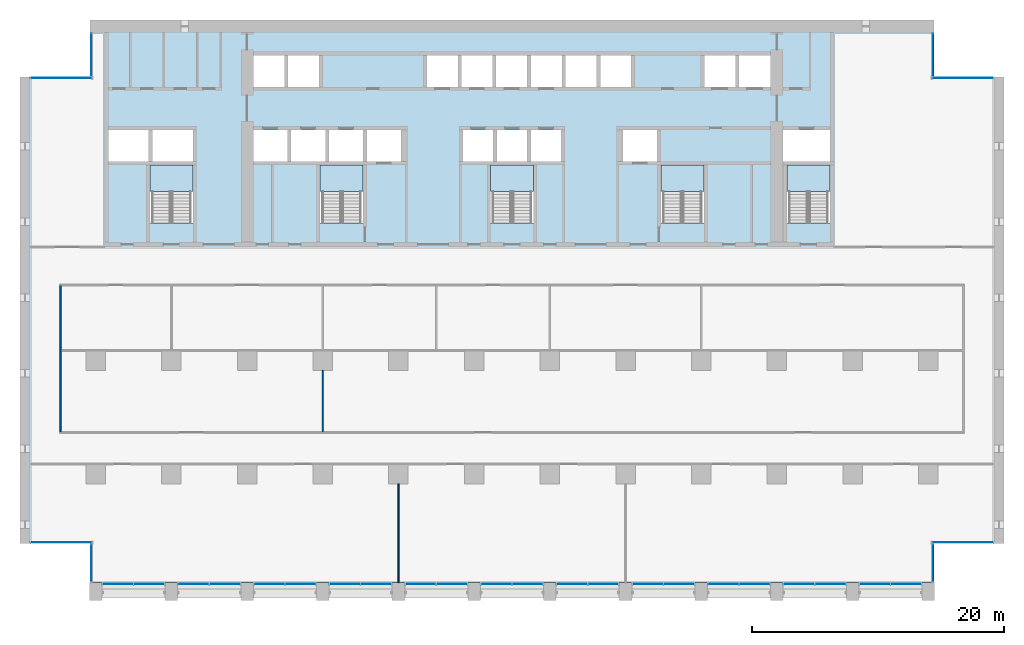
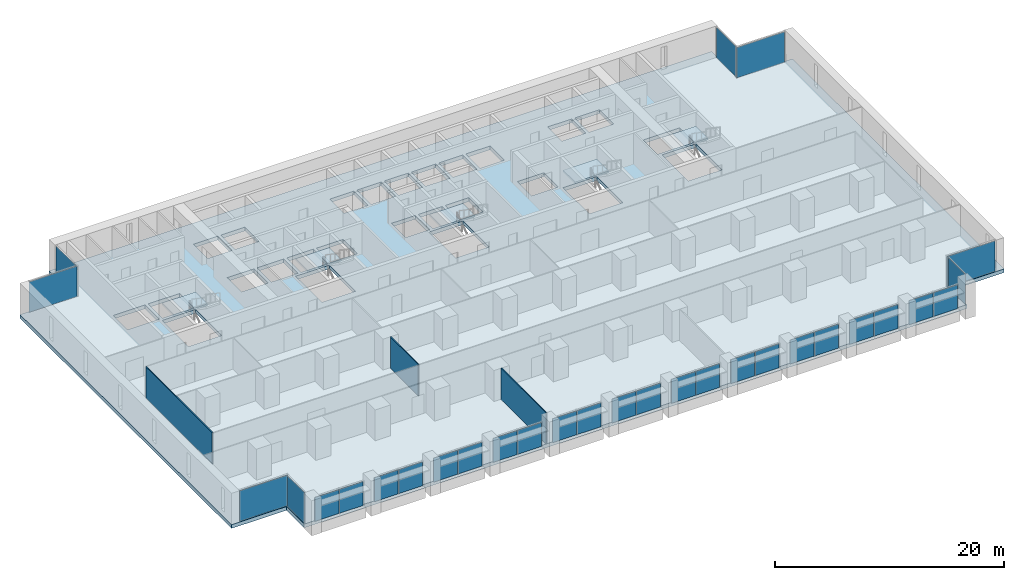
# One storey, part 7 of 17: 30 plates, 6 slabs, 3 walls, 24 elements without a shape of their own.
"""IFC4 building model written with IfcOpenShell, lengths in metres."""

from ifc_helpers import new_model, si_unit, direction, frame, frame_2d, origin, origin_2d, place, context, subcontext, project, spatial, polyline, rectangle, outline, extrude, material, layer, layer_set, type_object, element, aggregate, save


model = new_model("IFC4")

# Units and contexts
model_context = context("Model", 3, precision=1e-05, world=origin(), true_north=direction((0.0, 1.0)))
body_context = subcontext(model_context, "Body", "Model", "MODEL_VIEW")
ifc_project = project(units=[si_unit("LENGTHUNIT", "METRE"), si_unit("AREAUNIT", "SQUARE_METRE"), si_unit("VOLUMEUNIT", "CUBIC_METRE"), si_unit("PLANEANGLEUNIT", "RADIAN"), si_unit("MASSUNIT", "GRAM", prefix="KILO")], contexts=[model_context])

# Site, building, storey
site_placement = place(None, origin())
site = spatial("IfcSite", under=ifc_project, at=site_placement, CompositionType="ELEMENT")
building_placement = place(site_placement, origin())
building = spatial("IfcBuilding", under=site, at=building_placement, Name="Calvaro Tower", CompositionType="ELEMENT")
storey_placement = place(building_placement, frame((0.0, 0.0, 75.0)))
storey = spatial("IfcBuildingStorey", under=building, at=storey_placement, Name="L18", CompositionType="ELEMENT", Elevation=75.0)

# Slab
ifc_material_1 = material(Name="Concrete C40/50", Category="concrete")
ifc_layer_1 = layer(ifc_material_1, 0.39990234375)
ifc_layer_set_1 = layer_set([ifc_layer_1], Name="Concrete C40/50")
slab_type_1 = type_object("IfcSlabType", Name="Floor slab 400 C40/50", PredefinedType="FLOOR", material=ifc_layer_set_1)
slab_1_placement = place(storey_placement, frame((0.0, 0.0, -0.39990234375)))
element("IfcSlab", 1, at=slab_1_placement, inside=storey, type_object=slab_type_1, Name="Floor slab", PredefinedType="FLOOR", context=body_context, shape_type="SweptSolid", body=[
    extrude(outline(polyline([(72.449951171875, 4.5), (72.449951171875, 1.39990234375), (5.550048828125, 1.39990234375), (5.550048828125, 4.5), (0.0, 4.5), (0.0, 41.5), (5.550048828125, 41.5), (5.550048828125, 46.0), (72.449951171875, 46.0), (72.449951171875, 41.5), (78.0, 41.5), (78.0, 4.5), (72.449951171875, 4.5)]), holes=[polyline([(10.300048828125, 29.909912109375), (10.300048828125, 34.5), (12.0, 34.5), (13.699951171875, 34.5), (13.699951171875, 29.909912109375), (12.0, 29.909912109375), (10.300048828125, 29.909912109375)]), polyline([(23.800048828125, 29.909912109375), (23.800048828125, 34.5), (25.5, 34.5), (27.199951171875, 34.5), (27.199951171875, 29.909912109375), (25.5, 29.909912109375), (23.800048828125, 29.909912109375)]), polyline([(37.300048828125, 29.909912109375), (37.300048828125, 34.5), (39.0, 34.5), (40.699951171875, 34.5), (40.699951171875, 29.909912109375), (39.0, 29.909912109375), (37.300048828125, 29.909912109375)]), polyline([(50.800048828125, 29.909912109375), (50.800048828125, 34.5), (52.5, 34.5), (54.199951171875, 34.5), (54.199951171875, 29.909912109375), (52.5, 29.909912109375), (50.800048828125, 29.909912109375)]), polyline([(60.800048828125, 29.909912109375), (60.800048828125, 34.5), (62.5, 34.5), (64.199951171875, 34.5), (64.199951171875, 29.909912109375), (62.5, 29.909912109375), (60.800048828125, 29.909912109375)]), polyline([(18.5, 34.800048828125), (21.199951171875, 34.800048828125), (21.199951171875, 37.300048828125), (18.5, 37.300048828125), (18.5, 34.800048828125)]), polyline([(21.5, 34.800048828125), (24.199951171875, 34.800048828125), (24.199951171875, 37.300048828125), (21.5, 37.300048828125), (21.5, 34.800048828125)]), polyline([(24.5, 34.800048828125), (27.199951171875, 34.800048828125), (27.199951171875, 37.300048828125), (24.5, 37.300048828125), (24.5, 34.800048828125)]), polyline([(35.10009765625, 34.800048828125), (37.5, 34.800048828125), (37.5, 37.300048828125), (35.10009765625, 37.300048828125), (35.10009765625, 34.800048828125)]), polyline([(37.800048828125, 34.800048828125), (40.199951171875, 34.800048828125), (40.199951171875, 37.300048828125), (37.800048828125, 37.300048828125), (37.800048828125, 34.800048828125)]), polyline([(40.5, 34.800048828125), (42.89990234375, 34.800048828125), (42.89990234375, 37.300048828125), (40.5, 37.300048828125), (40.5, 34.800048828125)]), polyline([(18.5, 40.699951171875), (20.949951171875, 40.699951171875), (20.949951171875, 43.199951171875), (18.5, 43.199951171875), (18.5, 40.699951171875)]), polyline([(21.25, 40.699951171875), (23.699951171875, 40.699951171875), (23.699951171875, 43.199951171875), (21.25, 43.199951171875), (21.25, 40.699951171875)]), polyline([(32.25, 40.699951171875), (34.699951171875, 40.699951171875), (34.699951171875, 43.199951171875), (32.25, 43.199951171875), (32.25, 40.699951171875)]), polyline([(35.0, 40.699951171875), (37.449951171875, 40.699951171875), (37.449951171875, 43.199951171875), (35.0, 43.199951171875), (35.0, 40.699951171875)]), polyline([(37.75, 40.699951171875), (40.199951171875, 40.699951171875), (40.199951171875, 43.199951171875), (37.75, 43.199951171875), (37.75, 40.699951171875)]), polyline([(40.5, 40.699951171875), (42.949951171875, 40.699951171875), (42.949951171875, 43.199951171875), (40.5, 43.199951171875), (40.5, 40.699951171875)]), polyline([(43.25, 40.699951171875), (45.699951171875, 40.699951171875), (45.699951171875, 43.199951171875), (43.25, 43.199951171875), (43.25, 40.699951171875)]), polyline([(46.0, 40.699951171875), (48.449951171875, 40.699951171875), (48.449951171875, 43.199951171875), (46.0, 43.199951171875), (46.0, 40.699951171875)]), polyline([(54.25, 40.699951171875), (56.699951171875, 40.699951171875), (56.699951171875, 43.199951171875), (54.25, 43.199951171875), (54.25, 40.699951171875)]), polyline([(57.0, 40.699951171875), (59.5, 40.699951171875), (59.5, 43.199951171875), (57.0, 43.199951171875), (57.0, 40.699951171875)]), polyline([(7.0, 34.800048828125), (10.199951171875, 34.800048828125), (10.199951171875, 37.300048828125), (7.0, 37.300048828125), (7.0, 34.800048828125)]), polyline([(10.5, 34.800048828125), (13.699951171875, 34.800048828125), (13.699951171875, 37.300048828125), (10.5, 37.300048828125), (10.5, 34.800048828125)]), polyline([(60.5, 34.800048828125), (64.199951171875, 34.800048828125), (64.199951171875, 37.300048828125), (60.5, 37.300048828125), (60.5, 34.800048828125)]), polyline([(27.5, 34.800048828125), (30.199951171875, 34.800048828125), (30.199951171875, 37.300048828125), (27.5, 37.300048828125), (27.5, 34.800048828125)]), polyline([(47.800048828125, 34.800048828125), (50.5, 34.800048828125), (50.5, 37.300048828125), (47.800048828125, 37.300048828125), (47.800048828125, 34.800048828125)])]), origin(), (0.0, 0.0, 1.0), 0.39990234375),
])

# Curtain wall, plates
ifc_material_2 = material(Name="Anodised aluminium", Category="aluminium")
curtain_wall_type = type_object("IfcCurtainWallType", Name="Office curtain wall, lower zone", PredefinedType="NOTDEFINED", material=ifc_material_2)
curtain_wall_1_placement = place(storey_placement, origin())
curtain_wall_1 = element("IfcCurtainWall", 2, at=curtain_wall_1_placement, inside=storey, type_object=curtain_wall_type, Name="CW1 south curtain wall", PredefinedType="NOTDEFINED")
ifc_material_3 = material(Name="Glass", Category="glass")
ifc_layer_2 = layer(ifc_material_3, 0.028076171875)
ifc_layer_set_2 = layer_set([ifc_layer_2], Name="Glass")
plate_type = type_object("IfcPlateType", Name="Glass panel S1 28", PredefinedType="CURTAIN_PANEL", material=ifc_layer_set_2)
plate_1_placement = place(storey_placement, frame((7.764892578125, 1.300048828125, 0.0), z_axis=(0.0, 0.0, 1.0), x_axis=(1.0, 0.0, 0.0)))
plate_1 = element("IfcPlate", 3, at=plate_1_placement, type_object=plate_type, Name="CW1 glass panel 1.1", PredefinedType="CURTAIN_PANEL", context=body_context, shape_type="SweptSolid", body=[
    extrude(rectangle(XDim=2.409912109375, YDim=0.028076171875, at=origin_2d()), origin(), (0.0, 0.0, 1.0), 2.550048828125),
])
plate_2_placement = place(storey_placement, frame((10.235107421875, 1.300048828125, 0.0), z_axis=(0.0, 0.0, 1.0), x_axis=(1.0, 0.0, 0.0)))
plate_2 = element("IfcPlate", 4, at=plate_2_placement, type_object=plate_type, Name="CW1 glass panel 2.1", PredefinedType="CURTAIN_PANEL", context=body_context, shape_type="SweptSolid", body=[
    extrude(rectangle(XDim=2.409912109375, YDim=0.028076171875, at=origin_2d()), origin(), (0.0, 0.0, 1.0), 2.550048828125),
])
aggregate(curtain_wall_1, [plate_1, plate_2])

curtain_wall_2_placement = place(storey_placement, origin())
curtain_wall_2 = element("IfcCurtainWall", 5, at=curtain_wall_2_placement, inside=storey, type_object=curtain_wall_type, Name="CW1 south curtain wall", PredefinedType="NOTDEFINED")
plate_3_placement = place(storey_placement, frame((13.764892578125, 1.300048828125, 0.0), z_axis=(0.0, 0.0, 1.0), x_axis=(1.0, 0.0, 0.0)))
plate_3 = element("IfcPlate", 6, at=plate_3_placement, type_object=plate_type, Name="CW1 glass panel 1.1", PredefinedType="CURTAIN_PANEL", context=body_context, shape_type="SweptSolid", body=[
    extrude(rectangle(XDim=2.409912109375, YDim=0.028076171875, at=origin_2d()), origin(), (0.0, 0.0, 1.0), 2.550048828125),
])
plate_4_placement = place(storey_placement, frame((16.235107421875, 1.300048828125, 0.0), z_axis=(0.0, 0.0, 1.0), x_axis=(1.0, 0.0, 0.0)))
plate_4 = element("IfcPlate", 7, at=plate_4_placement, type_object=plate_type, Name="CW1 glass panel 2.1", PredefinedType="CURTAIN_PANEL", context=body_context, shape_type="SweptSolid", body=[
    extrude(rectangle(XDim=2.409912109375, YDim=0.028076171875, at=origin_2d()), origin(), (0.0, 0.0, 1.0), 2.550048828125),
])
aggregate(curtain_wall_2, [plate_3, plate_4])

curtain_wall_3_placement = place(storey_placement, origin())
curtain_wall_3 = element("IfcCurtainWall", 8, at=curtain_wall_3_placement, inside=storey, type_object=curtain_wall_type, Name="CW1 south curtain wall", PredefinedType="NOTDEFINED")
plate_5_placement = place(storey_placement, frame((19.764892578125, 1.300048828125, 0.0), z_axis=(0.0, 0.0, 1.0), x_axis=(1.0, 0.0, 0.0)))
plate_5 = element("IfcPlate", 9, at=plate_5_placement, type_object=plate_type, Name="CW1 glass panel 1.1", PredefinedType="CURTAIN_PANEL", context=body_context, shape_type="SweptSolid", body=[
    extrude(rectangle(XDim=2.409912109375, YDim=0.028076171875, at=origin_2d()), origin(), (0.0, 0.0, 1.0), 2.550048828125),
])
plate_6_placement = place(storey_placement, frame((22.235107421875, 1.300048828125, 0.0), z_axis=(0.0, 0.0, 1.0), x_axis=(1.0, 0.0, 0.0)))
plate_6 = element("IfcPlate", 10, at=plate_6_placement, type_object=plate_type, Name="CW1 glass panel 2.1", PredefinedType="CURTAIN_PANEL", context=body_context, shape_type="SweptSolid", body=[
    extrude(rectangle(XDim=2.409912109375, YDim=0.028076171875, at=origin_2d()), origin(), (0.0, 0.0, 1.0), 2.550048828125),
])
aggregate(curtain_wall_3, [plate_5, plate_6])

curtain_wall_4_placement = place(storey_placement, origin())
curtain_wall_4 = element("IfcCurtainWall", 11, at=curtain_wall_4_placement, inside=storey, type_object=curtain_wall_type, Name="CW1 south curtain wall", PredefinedType="NOTDEFINED")
plate_7_placement = place(storey_placement, frame((25.764892578125, 1.300048828125, 0.0), z_axis=(0.0, 0.0, 1.0), x_axis=(1.0, 0.0, 0.0)))
plate_7 = element("IfcPlate", 12, at=plate_7_placement, type_object=plate_type, Name="CW1 glass panel 1.1", PredefinedType="CURTAIN_PANEL", context=body_context, shape_type="SweptSolid", body=[
    extrude(rectangle(XDim=2.409912109375, YDim=0.028076171875, at=origin_2d()), origin(), (0.0, 0.0, 1.0), 2.550048828125),
])
plate_8_placement = place(storey_placement, frame((28.235107421875, 1.300048828125, 0.0), z_axis=(0.0, 0.0, 1.0), x_axis=(1.0, 0.0, 0.0)))
plate_8 = element("IfcPlate", 13, at=plate_8_placement, type_object=plate_type, Name="CW1 glass panel 2.1", PredefinedType="CURTAIN_PANEL", context=body_context, shape_type="SweptSolid", body=[
    extrude(rectangle(XDim=2.409912109375, YDim=0.028076171875, at=origin_2d()), origin(), (0.0, 0.0, 1.0), 2.550048828125),
])
aggregate(curtain_wall_4, [plate_7, plate_8])

curtain_wall_5_placement = place(storey_placement, origin())
curtain_wall_5 = element("IfcCurtainWall", 14, at=curtain_wall_5_placement, inside=storey, type_object=curtain_wall_type, Name="CW1 south curtain wall", PredefinedType="NOTDEFINED")
plate_9_placement = place(storey_placement, frame((31.764892578125, 1.300048828125, 0.0), z_axis=(0.0, 0.0, 1.0), x_axis=(1.0, 0.0, 0.0)))
plate_9 = element("IfcPlate", 15, at=plate_9_placement, type_object=plate_type, Name="CW1 glass panel 1.1", PredefinedType="CURTAIN_PANEL", context=body_context, shape_type="SweptSolid", body=[
    extrude(rectangle(XDim=2.409912109375, YDim=0.028076171875, at=origin_2d()), origin(), (0.0, 0.0, 1.0), 2.550048828125),
])
plate_10_placement = place(storey_placement, frame((34.235107421875, 1.300048828125, 0.0), z_axis=(0.0, 0.0, 1.0), x_axis=(1.0, 0.0, 0.0)))
plate_10 = element("IfcPlate", 16, at=plate_10_placement, type_object=plate_type, Name="CW1 glass panel 2.1", PredefinedType="CURTAIN_PANEL", context=body_context, shape_type="SweptSolid", body=[
    extrude(rectangle(XDim=2.409912109375, YDim=0.028076171875, at=origin_2d()), origin(), (0.0, 0.0, 1.0), 2.550048828125),
])
aggregate(curtain_wall_5, [plate_9, plate_10])

curtain_wall_6_placement = place(storey_placement, origin())
curtain_wall_6 = element("IfcCurtainWall", 17, at=curtain_wall_6_placement, inside=storey, type_object=curtain_wall_type, Name="CW1 south curtain wall", PredefinedType="NOTDEFINED")
plate_11_placement = place(storey_placement, frame((37.764892578125, 1.300048828125, 0.0), z_axis=(0.0, 0.0, 1.0), x_axis=(1.0, 0.0, 0.0)))
plate_11 = element("IfcPlate", 18, at=plate_11_placement, type_object=plate_type, Name="CW1 glass panel 1.1", PredefinedType="CURTAIN_PANEL", context=body_context, shape_type="SweptSolid", body=[
    extrude(rectangle(XDim=2.409912109375, YDim=0.028076171875, at=origin_2d()), origin(), (0.0, 0.0, 1.0), 2.550048828125),
])
plate_12_placement = place(storey_placement, frame((40.235107421875, 1.300048828125, 0.0), z_axis=(0.0, 0.0, 1.0), x_axis=(1.0, 0.0, 0.0)))
plate_12 = element("IfcPlate", 19, at=plate_12_placement, type_object=plate_type, Name="CW1 glass panel 2.1", PredefinedType="CURTAIN_PANEL", context=body_context, shape_type="SweptSolid", body=[
    extrude(rectangle(XDim=2.409912109375, YDim=0.028076171875, at=origin_2d()), origin(), (0.0, 0.0, 1.0), 2.550048828125),
])
aggregate(curtain_wall_6, [plate_11, plate_12])

curtain_wall_7_placement = place(storey_placement, origin())
curtain_wall_7 = element("IfcCurtainWall", 20, at=curtain_wall_7_placement, inside=storey, type_object=curtain_wall_type, Name="CW1 south curtain wall", PredefinedType="NOTDEFINED")
plate_13_placement = place(storey_placement, frame((43.764892578125, 1.300048828125, 0.0), z_axis=(0.0, 0.0, 1.0), x_axis=(1.0, 0.0, 0.0)))
plate_13 = element("IfcPlate", 21, at=plate_13_placement, type_object=plate_type, Name="CW1 glass panel 1.1", PredefinedType="CURTAIN_PANEL", context=body_context, shape_type="SweptSolid", body=[
    extrude(rectangle(XDim=2.409912109375, YDim=0.028076171875, at=origin_2d()), origin(), (0.0, 0.0, 1.0), 2.550048828125),
])
plate_14_placement = place(storey_placement, frame((46.235107421875, 1.300048828125, 0.0), z_axis=(0.0, 0.0, 1.0), x_axis=(1.0, 0.0, 0.0)))
plate_14 = element("IfcPlate", 22, at=plate_14_placement, type_object=plate_type, Name="CW1 glass panel 2.1", PredefinedType="CURTAIN_PANEL", context=body_context, shape_type="SweptSolid", body=[
    extrude(rectangle(XDim=2.409912109375, YDim=0.028076171875, at=origin_2d()), origin(), (0.0, 0.0, 1.0), 2.550048828125),
])
aggregate(curtain_wall_7, [plate_13, plate_14])

curtain_wall_8_placement = place(storey_placement, origin())
curtain_wall_8 = element("IfcCurtainWall", 23, at=curtain_wall_8_placement, inside=storey, type_object=curtain_wall_type, Name="CW1 south curtain wall", PredefinedType="NOTDEFINED")
plate_15_placement = place(storey_placement, frame((49.764892578125, 1.300048828125, 0.0), z_axis=(0.0, 0.0, 1.0), x_axis=(1.0, 0.0, 0.0)))
plate_15 = element("IfcPlate", 24, at=plate_15_placement, type_object=plate_type, Name="CW1 glass panel 1.1", PredefinedType="CURTAIN_PANEL", context=body_context, shape_type="SweptSolid", body=[
    extrude(rectangle(XDim=2.409912109375, YDim=0.028076171875, at=origin_2d()), origin(), (0.0, 0.0, 1.0), 2.550048828125),
])
plate_16_placement = place(storey_placement, frame((52.235107421875, 1.300048828125, 0.0), z_axis=(0.0, 0.0, 1.0), x_axis=(1.0, 0.0, 0.0)))
plate_16 = element("IfcPlate", 25, at=plate_16_placement, type_object=plate_type, Name="CW1 glass panel 2.1", PredefinedType="CURTAIN_PANEL", context=body_context, shape_type="SweptSolid", body=[
    extrude(rectangle(XDim=2.409912109375, YDim=0.028076171875, at=origin_2d()), origin(), (0.0, 0.0, 1.0), 2.550048828125),
])
aggregate(curtain_wall_8, [plate_15, plate_16])

curtain_wall_9_placement = place(storey_placement, origin())
curtain_wall_9 = element("IfcCurtainWall", 26, at=curtain_wall_9_placement, inside=storey, type_object=curtain_wall_type, Name="CW1 south curtain wall", PredefinedType="NOTDEFINED")
plate_17_placement = place(storey_placement, frame((55.764892578125, 1.300048828125, 0.0), z_axis=(0.0, 0.0, 1.0), x_axis=(1.0, 0.0, 0.0)))
plate_17 = element("IfcPlate", 27, at=plate_17_placement, type_object=plate_type, Name="CW1 glass panel 1.1", PredefinedType="CURTAIN_PANEL", context=body_context, shape_type="SweptSolid", body=[
    extrude(rectangle(XDim=2.409912109375, YDim=0.028076171875, at=origin_2d()), origin(), (0.0, 0.0, 1.0), 2.550048828125),
])
plate_18_placement = place(storey_placement, frame((58.235107421875, 1.300048828125, 0.0), z_axis=(0.0, 0.0, 1.0), x_axis=(1.0, 0.0, 0.0)))
plate_18 = element("IfcPlate", 28, at=plate_18_placement, type_object=plate_type, Name="CW1 glass panel 2.1", PredefinedType="CURTAIN_PANEL", context=body_context, shape_type="SweptSolid", body=[
    extrude(rectangle(XDim=2.409912109375, YDim=0.028076171875, at=origin_2d()), origin(), (0.0, 0.0, 1.0), 2.550048828125),
])
aggregate(curtain_wall_9, [plate_17, plate_18])

curtain_wall_10_placement = place(storey_placement, origin())
curtain_wall_10 = element("IfcCurtainWall", 29, at=curtain_wall_10_placement, inside=storey, type_object=curtain_wall_type, Name="CW1 south curtain wall", PredefinedType="NOTDEFINED")
plate_19_placement = place(storey_placement, frame((61.764892578125, 1.300048828125, 0.0), z_axis=(0.0, 0.0, 1.0), x_axis=(1.0, 0.0, 0.0)))
plate_19 = element("IfcPlate", 30, at=plate_19_placement, type_object=plate_type, Name="CW1 glass panel 1.1", PredefinedType="CURTAIN_PANEL", context=body_context, shape_type="SweptSolid", body=[
    extrude(rectangle(XDim=2.409912109375, YDim=0.028076171875, at=origin_2d()), origin(), (0.0, 0.0, 1.0), 2.550048828125),
])
plate_20_placement = place(storey_placement, frame((64.235107421875, 1.300048828125, 0.0), z_axis=(0.0, 0.0, 1.0), x_axis=(1.0, 0.0, 0.0)))
plate_20 = element("IfcPlate", 31, at=plate_20_placement, type_object=plate_type, Name="CW1 glass panel 2.1", PredefinedType="CURTAIN_PANEL", context=body_context, shape_type="SweptSolid", body=[
    extrude(rectangle(XDim=2.409912109375, YDim=0.028076171875, at=origin_2d()), origin(), (0.0, 0.0, 1.0), 2.550048828125),
])
aggregate(curtain_wall_10, [plate_19, plate_20])

curtain_wall_11_placement = place(storey_placement, origin())
curtain_wall_11 = element("IfcCurtainWall", 32, at=curtain_wall_11_placement, inside=storey, type_object=curtain_wall_type, Name="CW1 south curtain wall", PredefinedType="NOTDEFINED")
plate_21_placement = place(storey_placement, frame((67.764892578125, 1.300048828125, 0.0), z_axis=(0.0, 0.0, 1.0), x_axis=(1.0, 0.0, 0.0)))
plate_21 = element("IfcPlate", 33, at=plate_21_placement, type_object=plate_type, Name="CW1 glass panel 1.1", PredefinedType="CURTAIN_PANEL", context=body_context, shape_type="SweptSolid", body=[
    extrude(rectangle(XDim=2.409912109375, YDim=0.028076171875, at=origin_2d()), origin(), (0.0, 0.0, 1.0), 2.550048828125),
])
plate_22_placement = place(storey_placement, frame((70.235107421875, 1.300048828125, 0.0), z_axis=(0.0, 0.0, 1.0), x_axis=(1.0, 0.0, 0.0)))
plate_22 = element("IfcPlate", 34, at=plate_22_placement, type_object=plate_type, Name="CW1 glass panel 2.1", PredefinedType="CURTAIN_PANEL", context=body_context, shape_type="SweptSolid", body=[
    extrude(rectangle(XDim=2.409912109375, YDim=0.028076171875, at=origin_2d()), origin(), (0.0, 0.0, 1.0), 2.550048828125),
])
aggregate(curtain_wall_11, [plate_21, plate_22])

# Curtain wall, plate
curtain_wall_12_placement = place(storey_placement, origin())
curtain_wall_12 = element("IfcCurtainWall", 35, at=curtain_wall_12_placement, inside=storey, type_object=curtain_wall_type, Name="CW1 corner curtain wall", PredefinedType="NOTDEFINED")
plate_23_placement = place(storey_placement, frame((5.64990234375, 2.949951171875, 0.0), z_axis=(0.0, 0.0, 1.0), x_axis=(0.0, 1.0, 0.0)))
plate_23 = element("IfcPlate", 36, at=plate_23_placement, type_object=plate_type, Name="CW1 glass panel 1.1", PredefinedType="CURTAIN_PANEL", context=body_context, shape_type="SweptSolid", body=[
    extrude(rectangle(XDim=2.97998046875, YDim=0.028076171875, at=origin_2d()), origin(), (0.0, 0.0, 1.0), 3.25),
])
aggregate(curtain_wall_12, [plate_23])

curtain_wall_13_placement = place(storey_placement, origin())
curtain_wall_13 = element("IfcCurtainWall", 37, at=curtain_wall_13_placement, inside=storey, type_object=curtain_wall_type, Name="CW1 corner curtain wall", PredefinedType="NOTDEFINED")
plate_24_placement = place(storey_placement, frame((3.27490234375, 4.60009765625, 0.0), z_axis=(0.0, 0.0, 1.0), x_axis=(1.0, 0.0, 0.0)))
plate_24 = element("IfcPlate", 38, at=plate_24_placement, type_object=plate_type, Name="CW1 glass panel 1.1", PredefinedType="CURTAIN_PANEL", context=body_context, shape_type="SweptSolid", body=[
    extrude(rectangle(XDim=4.830078125, YDim=0.028076171875, at=origin_2d()), origin(), (0.0, 0.0, 1.0), 3.25),
])
aggregate(curtain_wall_13, [plate_24])

curtain_wall_14_placement = place(storey_placement, origin())
curtain_wall_14 = element("IfcCurtainWall", 39, at=curtain_wall_14_placement, inside=storey, type_object=curtain_wall_type, Name="CW1 corner curtain wall", PredefinedType="NOTDEFINED")
plate_25_placement = place(storey_placement, frame((5.64990234375, 43.25, 0.0), z_axis=(0.0, 0.0, 1.0), x_axis=(0.0, 1.0, 0.0)))
plate_25 = element("IfcPlate", 40, at=plate_25_placement, type_object=plate_type, Name="CW1 glass panel 1.1", PredefinedType="CURTAIN_PANEL", context=body_context, shape_type="SweptSolid", body=[
    extrude(rectangle(XDim=3.3798828125, YDim=0.028076171875, at=origin_2d()), origin(), (0.0, 0.0, 1.0), 3.25),
])
aggregate(curtain_wall_14, [plate_25])

curtain_wall_15_placement = place(storey_placement, origin())
curtain_wall_15 = element("IfcCurtainWall", 41, at=curtain_wall_15_placement, inside=storey, type_object=curtain_wall_type, Name="CW1 corner curtain wall", PredefinedType="NOTDEFINED")
plate_26_placement = place(storey_placement, frame((3.27490234375, 41.39990234375, 0.0), z_axis=(0.0, 0.0, 1.0), x_axis=(1.0, 0.0, 0.0)))
plate_26 = element("IfcPlate", 42, at=plate_26_placement, type_object=plate_type, Name="CW1 glass panel 1.1", PredefinedType="CURTAIN_PANEL", context=body_context, shape_type="SweptSolid", body=[
    extrude(rectangle(XDim=4.830078125, YDim=0.028076171875, at=origin_2d()), origin(), (0.0, 0.0, 1.0), 3.25),
])
aggregate(curtain_wall_15, [plate_26])

curtain_wall_16_placement = place(storey_placement, origin())
curtain_wall_16 = element("IfcCurtainWall", 43, at=curtain_wall_16_placement, inside=storey, type_object=curtain_wall_type, Name="CW1 corner curtain wall", PredefinedType="NOTDEFINED")
plate_27_placement = place(storey_placement, frame((72.35009765625, 2.949951171875, 0.0), z_axis=(0.0, 0.0, 1.0), x_axis=(0.0, 1.0, 0.0)))
plate_27 = element("IfcPlate", 44, at=plate_27_placement, type_object=plate_type, Name="CW1 glass panel 1.1", PredefinedType="CURTAIN_PANEL", context=body_context, shape_type="SweptSolid", body=[
    extrude(rectangle(XDim=2.97998046875, YDim=0.028076171875, at=origin_2d()), origin(), (0.0, 0.0, 1.0), 3.25),
])
aggregate(curtain_wall_16, [plate_27])

curtain_wall_17_placement = place(storey_placement, origin())
curtain_wall_17 = element("IfcCurtainWall", 45, at=curtain_wall_17_placement, inside=storey, type_object=curtain_wall_type, Name="CW1 corner curtain wall", PredefinedType="NOTDEFINED")
plate_28_placement = place(storey_placement, frame((74.72509765625, 4.60009765625, 0.0), z_axis=(0.0, 0.0, 1.0), x_axis=(1.0, 0.0, 0.0)))
plate_28 = element("IfcPlate", 46, at=plate_28_placement, type_object=plate_type, Name="CW1 glass panel 1.1", PredefinedType="CURTAIN_PANEL", context=body_context, shape_type="SweptSolid", body=[
    extrude(rectangle(XDim=4.830078125, YDim=0.028076171875, at=origin_2d()), origin(), (0.0, 0.0, 1.0), 3.25),
])
aggregate(curtain_wall_17, [plate_28])

curtain_wall_18_placement = place(storey_placement, origin())
curtain_wall_18 = element("IfcCurtainWall", 47, at=curtain_wall_18_placement, inside=storey, type_object=curtain_wall_type, Name="CW1 corner curtain wall", PredefinedType="NOTDEFINED")
plate_29_placement = place(storey_placement, frame((72.35009765625, 43.25, 0.0), z_axis=(0.0, 0.0, 1.0), x_axis=(0.0, 1.0, 0.0)))
plate_29 = element("IfcPlate", 48, at=plate_29_placement, type_object=plate_type, Name="CW1 glass panel 1.1", PredefinedType="CURTAIN_PANEL", context=body_context, shape_type="SweptSolid", body=[
    extrude(rectangle(XDim=3.3798828125, YDim=0.028076171875, at=origin_2d()), origin(), (0.0, 0.0, 1.0), 3.25),
])
aggregate(curtain_wall_18, [plate_29])

curtain_wall_19_placement = place(storey_placement, origin())
curtain_wall_19 = element("IfcCurtainWall", 49, at=curtain_wall_19_placement, inside=storey, type_object=curtain_wall_type, Name="CW1 corner curtain wall", PredefinedType="NOTDEFINED")
plate_30_placement = place(storey_placement, frame((74.72509765625, 41.39990234375, 0.0), z_axis=(0.0, 0.0, 1.0), x_axis=(1.0, 0.0, 0.0)))
plate_30 = element("IfcPlate", 50, at=plate_30_placement, type_object=plate_type, Name="CW1 glass panel 1.1", PredefinedType="CURTAIN_PANEL", context=body_context, shape_type="SweptSolid", body=[
    extrude(rectangle(XDim=4.830078125, YDim=0.028076171875, at=origin_2d()), origin(), (0.0, 0.0, 1.0), 3.25),
])
aggregate(curtain_wall_19, [plate_30])

# Stair, slab
ifc_material_4 = material(Name="Concrete C40/50", Category="concrete")
stair_type = type_object("IfcStairType", Name="Exit stair 1400 2 flights", PredefinedType="HALF_TURN_STAIR", material=ifc_material_4)
stair_1_placement = place(storey_placement, origin())
stair_1 = element("IfcStair", 51, at=stair_1_placement, inside=storey, type_object=stair_type, Name="Exit stair S1", PredefinedType="HALF_TURN_STAIR")
ifc_material_5 = material(Name="Concrete C40/50", Category="concrete")
ifc_layer_3 = layer(ifc_material_5, 0.199951171875)
ifc_layer_set_3 = layer_set([ifc_layer_3], Name="Concrete C40/50")
slab_type_2 = type_object("IfcSlabType", Name="Stair landing", PredefinedType="LANDING", material=ifc_layer_set_3)
slab_2_placement = place(storey_placement, frame((0.0, 0.0, 1.675048828125)))
slab_2 = element("IfcSlab", 52, at=slab_2_placement, type_object=slab_type_2, Name="Exit stair 1, landing 1", PredefinedType="LANDING", context=body_context, shape_type="SweptSolid", body=[
    extrude(outline(polyline([(11.89990234375, 32.389892578125), (10.5, 32.389892578125), (10.5, 32.39990234375), (10.300048828125, 32.39990234375), (10.300048828125, 34.5), (10.5, 34.5), (11.89990234375, 34.5), (12.10009765625, 34.5), (13.5, 34.5), (13.699951171875, 34.5), (13.699951171875, 32.39990234375), (13.5, 32.39990234375), (13.5, 32.389892578125), (12.10009765625, 32.389892578125), (12.10009765625, 32.39990234375), (11.89990234375, 32.39990234375), (11.89990234375, 32.389892578125)])), origin(), (0.0, 0.0, 1.0), 0.199951171875),
])
aggregate(stair_1, [slab_2])

stair_2_placement = place(storey_placement, origin())
stair_2 = element("IfcStair", 53, at=stair_2_placement, inside=storey, type_object=stair_type, Name="Exit stair S2", PredefinedType="HALF_TURN_STAIR")
slab_3_placement = place(storey_placement, frame((0.0, 0.0, 1.675048828125)))
slab_3 = element("IfcSlab", 54, at=slab_3_placement, type_object=slab_type_2, Name="Exit stair 2, landing 1", PredefinedType="LANDING", context=body_context, shape_type="SweptSolid", body=[
    extrude(outline(polyline([(25.39990234375, 32.389892578125), (24.0, 32.389892578125), (24.0, 32.39990234375), (23.800048828125, 32.39990234375), (23.800048828125, 34.5), (24.0, 34.5), (25.39990234375, 34.5), (25.60009765625, 34.5), (27.0, 34.5), (27.199951171875, 34.5), (27.199951171875, 32.39990234375), (27.0, 32.39990234375), (27.0, 32.389892578125), (25.60009765625, 32.389892578125), (25.60009765625, 32.39990234375), (25.39990234375, 32.39990234375), (25.39990234375, 32.389892578125)])), origin(), (0.0, 0.0, 1.0), 0.199951171875),
])
aggregate(stair_2, [slab_3])

stair_3_placement = place(storey_placement, origin())
stair_3 = element("IfcStair", 55, at=stair_3_placement, inside=storey, type_object=stair_type, Name="Exit stair S3", PredefinedType="HALF_TURN_STAIR")
slab_4_placement = place(storey_placement, frame((0.0, 0.0, 1.675048828125)))
slab_4 = element("IfcSlab", 56, at=slab_4_placement, type_object=slab_type_2, Name="Exit stair 3, landing 1", PredefinedType="LANDING", context=body_context, shape_type="SweptSolid", body=[
    extrude(outline(polyline([(38.89990234375, 32.389892578125), (37.5, 32.389892578125), (37.5, 32.39990234375), (37.300048828125, 32.39990234375), (37.300048828125, 34.5), (37.5, 34.5), (38.89990234375, 34.5), (39.10009765625, 34.5), (40.5, 34.5), (40.699951171875, 34.5), (40.699951171875, 32.39990234375), (40.5, 32.39990234375), (40.5, 32.389892578125), (39.10009765625, 32.389892578125), (39.10009765625, 32.39990234375), (38.89990234375, 32.39990234375), (38.89990234375, 32.389892578125)])), origin(), (0.0, 0.0, 1.0), 0.199951171875),
])
aggregate(stair_3, [slab_4])

stair_4_placement = place(storey_placement, origin())
stair_4 = element("IfcStair", 57, at=stair_4_placement, inside=storey, type_object=stair_type, Name="Exit stair S4", PredefinedType="HALF_TURN_STAIR")
slab_5_placement = place(storey_placement, frame((0.0, 0.0, 1.675048828125)))
slab_5 = element("IfcSlab", 58, at=slab_5_placement, type_object=slab_type_2, Name="Exit stair 4, landing 1", PredefinedType="LANDING", context=body_context, shape_type="SweptSolid", body=[
    extrude(outline(polyline([(52.39990234375, 32.389892578125), (51.0, 32.389892578125), (51.0, 32.39990234375), (50.800048828125, 32.39990234375), (50.800048828125, 34.5), (51.0, 34.5), (52.39990234375, 34.5), (52.60009765625, 34.5), (54.0, 34.5), (54.199951171875, 34.5), (54.199951171875, 32.39990234375), (54.0, 32.39990234375), (54.0, 32.389892578125), (52.60009765625, 32.389892578125), (52.60009765625, 32.39990234375), (52.39990234375, 32.39990234375), (52.39990234375, 32.389892578125)])), origin(), (0.0, 0.0, 1.0), 0.199951171875),
])
aggregate(stair_4, [slab_5])

stair_5_placement = place(storey_placement, origin())
stair_5 = element("IfcStair", 59, at=stair_5_placement, inside=storey, type_object=stair_type, Name="Exit stair S5", PredefinedType="HALF_TURN_STAIR")
slab_6_placement = place(storey_placement, frame((0.0, 0.0, 1.675048828125)))
slab_6 = element("IfcSlab", 60, at=slab_6_placement, type_object=slab_type_2, Name="Exit stair 5, landing 1", PredefinedType="LANDING", context=body_context, shape_type="SweptSolid", body=[
    extrude(outline(polyline([(62.39990234375, 32.389892578125), (61.0, 32.389892578125), (61.0, 32.39990234375), (60.800048828125, 32.39990234375), (60.800048828125, 34.5), (61.0, 34.5), (62.39990234375, 34.5), (62.60009765625, 34.5), (64.0, 34.5), (64.199951171875, 34.5), (64.199951171875, 32.39990234375), (64.0, 32.39990234375), (64.0, 32.389892578125), (62.60009765625, 32.389892578125), (62.60009765625, 32.39990234375), (62.39990234375, 32.39990234375), (62.39990234375, 32.389892578125)])), origin(), (0.0, 0.0, 1.0), 0.199951171875),
])
aggregate(stair_5, [slab_6])

# Walls
ifc_material_6 = material(Name="Plasterboard on steel studs", Category="steel")
ifc_layer_4 = layer(ifc_material_6, 0.10009765625)
ifc_layer_set_4 = layer_set([ifc_layer_4], Name="Plasterboard on steel studs")
wall_type = type_object("IfcWallType", Name="Partition 100", PredefinedType="PARTITIONING", material=ifc_layer_set_4)
wall_1_placement = place(storey_placement, frame((3.199951171875, 13.35009765625, 0.0), z_axis=(0.0, 0.0, 1.0), x_axis=(0.0, 1.0, 0.0)))
element("IfcWall", 61, at=wall_1_placement, inside=storey, type_object=wall_type, Name="Partition T13.W007", PredefinedType="PARTITIONING", context=body_context, shape_type="SweptSolid", body=[
    extrude(rectangle(XDim=11.599853515625, YDim=0.10009765625, at=frame_2d((5.7998046875, 0.0))), origin(), (0.0, 0.0, 1.0), 3.35009765625),
])
wall_2_placement = place(storey_placement, frame((24.0, 13.35009765625, 0.0), z_axis=(0.0, 0.0, 1.0), x_axis=(0.0, 1.0, 0.0)))
element("IfcWall", 62, at=wall_2_placement, inside=storey, type_object=wall_type, Name="Partition T13.W009", PredefinedType="PARTITIONING", context=body_context, shape_type="SweptSolid", body=[
    extrude(rectangle(XDim=4.875, YDim=0.10009765625, at=frame_2d((2.4375, 0.0))), origin(), (0.0, 0.0, 1.0), 3.35009765625),
])
wall_3_placement = place(storey_placement, frame((30.0, 1.39990234375, 0.0), z_axis=(0.0, 0.0, 1.0), x_axis=(0.0, 1.0, 0.0)))
element("IfcWall", 63, at=wall_3_placement, inside=storey, type_object=wall_type, Name="Partition T13.W011", PredefinedType="PARTITIONING", context=body_context, shape_type="SweptSolid", body=[
    extrude(rectangle(XDim=7.8251953125, YDim=0.10009765625, at=frame_2d((3.91259765625, 0.0))), origin(), (0.0, 0.0, 1.0), 3.35009765625),
])

save(model, "model.ifc")
